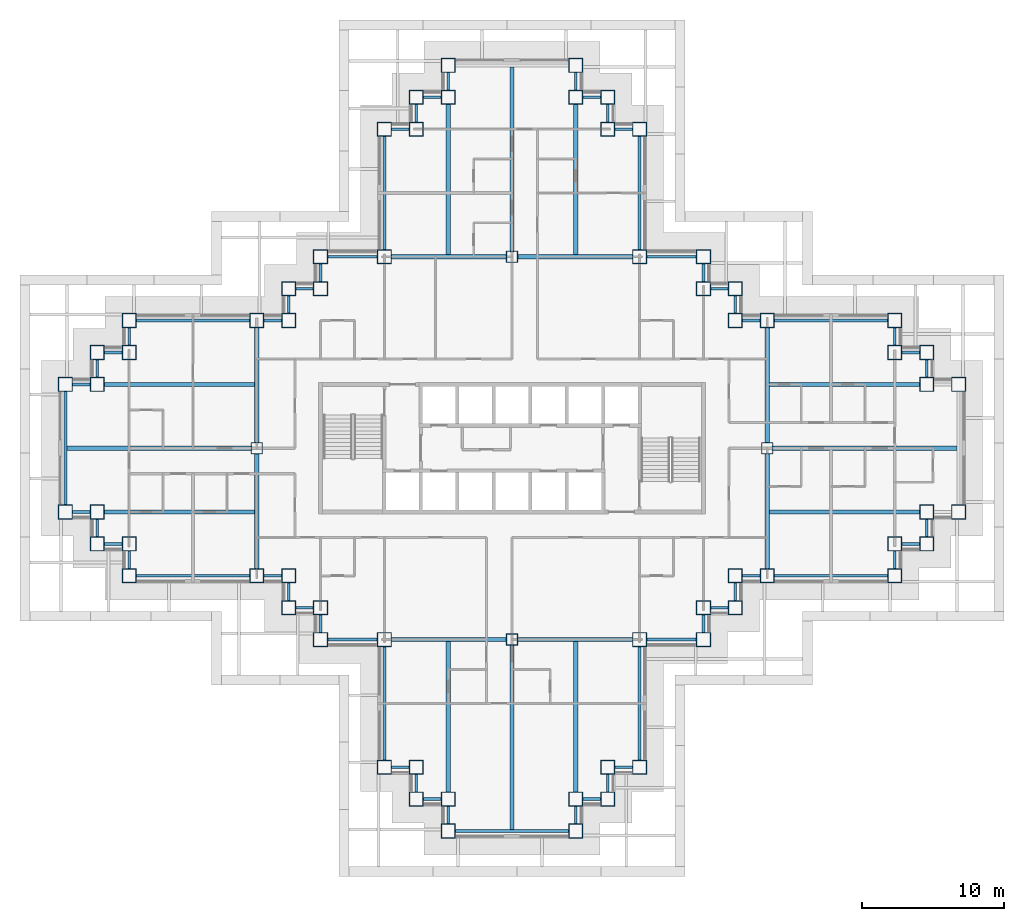
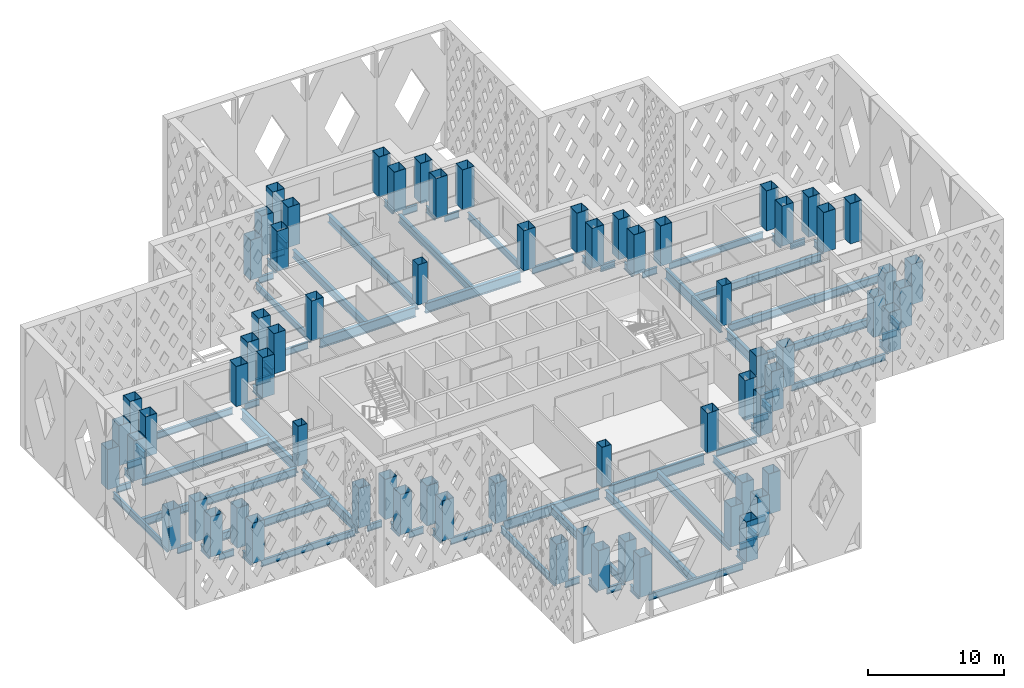
# One storey, part 1 of 19: 80 beams, 68 columns.
"""IFC4 building model written with IfcOpenShell, lengths in metres."""

from ifc_helpers import new_model, si_unit, direction, frame, origin, origin_2d, place, context, subcontext, project, spatial, hollow_rectangle, i_section, extrude, material, material_profile, profile_set, type_object, element, save


model = new_model("IFC4")

# Units and contexts
model_context = context("Model", 3, precision=1e-05, world=origin(), true_north=direction((0.0, 1.0)))
body_context = subcontext(model_context, "Body", "Model", "MODEL_VIEW")
ifc_project = project(units=[si_unit("LENGTHUNIT", "METRE"), si_unit("AREAUNIT", "SQUARE_METRE"), si_unit("VOLUMEUNIT", "CUBIC_METRE"), si_unit("PLANEANGLEUNIT", "RADIAN"), si_unit("MASSUNIT", "GRAM", prefix="KILO")], contexts=[model_context])

# Site, building, storey
site_placement = place(None, origin())
site = spatial("IfcSite", under=ifc_project, at=site_placement, CompositionType="ELEMENT")
building_placement = place(site_placement, origin())
building = spatial("IfcBuilding", under=site, at=building_placement, Name="Caravel Reach Hotel and Residences", CompositionType="ELEMENT")
storey_placement = place(building_placement, frame((0.0, 0.0, 74.39990234375)))
storey = spatial("IfcBuildingStorey", under=building, at=storey_placement, Name="L17", CompositionType="ELEMENT", Elevation=74.39990234375)

# Columns
ifc_material_1 = material(Name="Concrete-filled steel tube Q390B with Concrete C70 infill", Category="concrete")
ifc_material_profile_1 = material_profile(ifc_material_1, hollow_rectangle(XDim=1.0, YDim=1.0, WallThickness=0.031982421875, at=origin_2d()), Name="RHS 1000x1000x32")
ifc_profile_set_1 = profile_set([ifc_material_profile_1], Name="Concrete-filled steel tube Q390B with Concrete C70 infill")
column_type_1 = type_object("IfcColumnType", Name="CFT 1000x1000 Q390B C70", PredefinedType="COLUMN", material=ifc_profile_set_1)
for number, where, z_axis, x_axis, name in (
    (1, (22.5, 4.5, 0.0), (0.0, 0.0, 1.0), (1.0, 0.0, 0.0), "C2 column"),
    (2, (24.75, 4.5, 0.0), (0.0, 0.0, 1.0), (1.0, 0.0, 0.0), "C2 column"),
    (3, (24.75, 2.25, 0.0), (0.0, 0.0, 1.0), (1.0, 0.0, 0.0), "C2 column"),
    (4, (27.0, 2.25, 0.0), (0.0, 0.0, 1.0), (1.0, 0.0, 0.0), "C2 column"),
    (5, (27.0, 0.0, 0.0), (0.0, 0.0, 1.0), (1.0, 0.0, 0.0), "C2 column"),
    (6, (36.0, 0.0, 0.0), (0.0, 0.0, 1.0), (1.0, 0.0, 0.0), "C2 column"),
    (7, (36.0, 2.25, 0.0), (0.0, 0.0, 1.0), (1.0, 0.0, 0.0), "C2 column"),
    (8, (38.25, 2.25, 0.0), (0.0, 0.0, 1.0), (1.0, 0.0, 0.0), "C2 column"),
    (9, (38.25, 4.5, 0.0), (0.0, 0.0, 1.0), (1.0, 0.0, 0.0), "C2 column"),
    (10, (40.5, 4.5, 0.0), (0.0, 0.0, 1.0), (1.0, 0.0, 0.0), "C2 column"),
    (11, (40.5, 13.5, 0.0), (0.0, 0.0, 1.0), (1.0, 0.0, 0.0), "C2 column"),
    (12, (45.0, 13.5, 0.0), (0.0, 0.0, 1.0), (1.0, 0.0, 0.0), "C2 column"),
    (13, (45.0, 15.75, 0.0), (0.0, 0.0, 1.0), (1.0, 0.0, 0.0), "C2 column"),
    (14, (47.25, 15.75, 0.0), (0.0, 0.0, 1.0), (1.0, 0.0, 0.0), "C2 column"),
    (15, (47.25, 18.0, 0.0), (0.0, 0.0, 1.0), (1.0, 0.0, 0.0), "C2 column"),
    (16, (49.5, 18.0, 0.0), (0.0, 0.0, 1.0), (1.0, 0.0, 0.0), "C2 column"),
    (17, (58.5, 18.0, 0.0), (0.0, 0.0, 1.0), (1.0, 0.0, 0.0), "C2 column"),
    (18, (58.5, 20.25, 0.0), (0.0, 0.0, 1.0), (1.0, 0.0, 0.0), "C2 column"),
    (19, (60.75, 20.25, 0.0), (0.0, 0.0, 1.0), (1.0, 0.0, 0.0), "C2 column"),
    (20, (60.75, 22.5, 0.0), (0.0, 0.0, 1.0), (1.0, 0.0, 0.0), "C2 column"),
    (21, (63.0, 22.5, 0.0), (0.0, 0.0, 1.0), (1.0, 0.0, 0.0), "C2 column"),
    (22, (63.0, 31.5, 0.0), (0.0, 0.0, 1.0), (1.0, 0.0, 0.0), "C2 column"),
    (23, (60.75, 31.5, 0.0), (0.0, 0.0, 1.0), (1.0, 0.0, 0.0), "C2 column"),
    (24, (60.75, 33.75, 0.0), (0.0, 0.0, 1.0), (1.0, 0.0, 0.0), "C2 column"),
    (25, (58.5, 33.75, 0.0), (0.0, 0.0, 1.0), (1.0, 0.0, 0.0), "C2 column"),
    (26, (58.5, 36.0, 0.0), (0.0, 0.0, 1.0), (1.0, 0.0, 0.0), "C2 column"),
    (27, (49.5, 36.0, 0.0), (0.0, 0.0, 1.0), (1.0, 0.0, 0.0), "C2 column"),
    (28, (47.25, 36.0, 0.0), (0.0, 0.0, 1.0), (1.0, 0.0, 0.0), "C2 column"),
    (29, (47.25, 38.25, 0.0), (0.0, 0.0, 1.0), (1.0, 0.0, 0.0), "C2 column"),
    (30, (45.0, 38.25, 0.0), (0.0, 0.0, 1.0), (1.0, 0.0, 0.0), "C2 column"),
    (31, (45.0, 40.5, 0.0), (0.0, 0.0, 1.0), (1.0, 0.0, 0.0), "C2 column"),
    (32, (40.5, 40.5, 0.0), (0.0, 0.0, 1.0), (1.0, 0.0, 0.0), "C2 column"),
    (33, (40.5, 49.5, 0.0), (0.0, 0.0, 1.0), (1.0, 0.0, 0.0), "C2 column"),
    (34, (38.25, 49.5, 0.0), (0.0, 0.0, 1.0), (1.0, 0.0, 0.0), "C2 column"),
    (35, (38.25, 51.75, 0.0), (0.0, 0.0, 1.0), (1.0, 0.0, 0.0), "C2 column"),
    (36, (36.0, 51.75, 0.0), (0.0, 0.0, 1.0), (1.0, 0.0, 0.0), "C2 column"),
    (37, (36.0, 54.0, 0.0), (0.0, 0.0, 1.0), (1.0, 0.0, 0.0), "C2 column"),
    (38, (27.0, 54.0, 0.0), (0.0, 0.0, 1.0), (1.0, 0.0, 0.0), "C2 column"),
    (39, (27.0, 51.75, 0.0), (0.0, 0.0, 1.0), (1.0, 0.0, 0.0), "C2 column"),
    (40, (24.75, 51.75, 0.0), (0.0, 0.0, 1.0), (1.0, 0.0, 0.0), "C2 column"),
    (41, (24.75, 49.5, 0.0), (0.0, 0.0, 1.0), (1.0, 0.0, 0.0), "C2 column"),
    (42, (22.5, 49.5, 0.0), (0.0, 0.0, 1.0), (1.0, 0.0, 0.0), "C2 column"),
    (43, (22.5, 40.5, 0.0), (0.0, 0.0, 1.0), (1.0, 0.0, 0.0), "C2 column"),
    (44, (18.0, 40.5, 0.0), (0.0, 0.0, 1.0), (1.0, 0.0, 0.0), "C2 column"),
    (45, (18.0, 38.25, 0.0), (0.0, 0.0, 1.0), (1.0, 0.0, 0.0), "C2 column"),
    (46, (15.75, 38.25, 0.0), (0.0, 0.0, 1.0), (1.0, 0.0, 0.0), "C2 column"),
    (47, (15.75, 36.0, 0.0), (0.0, 0.0, 1.0), (1.0, 0.0, 0.0), "C2 column"),
    (48, (13.5, 36.0, 0.0), (0.0, 0.0, 1.0), (1.0, 0.0, 0.0), "C2 column"),
    (49, (4.5, 36.0, 0.0), (0.0, 0.0, 1.0), (1.0, 0.0, 0.0), "C2 column"),
    (50, (4.5, 33.75, 0.0), (0.0, 0.0, 1.0), (1.0, 0.0, 0.0), "C2 column"),
    (51, (2.25, 33.75, 0.0), (0.0, 0.0, 1.0), (1.0, 0.0, 0.0), "C2 column"),
    (52, (2.25, 31.5, 0.0), (0.0, 0.0, 1.0), (1.0, 0.0, 0.0), "C2 column"),
    (53, (0.0, 31.5, 0.0), (0.0, 0.0, 1.0), (1.0, 0.0, 0.0), "C2 column"),
    (54, (0.0, 22.5, 0.0), (0.0, 0.0, 1.0), (1.0, 0.0, 0.0), "C2 column"),
    (55, (2.25, 22.5, 0.0), (0.0, 0.0, 1.0), (1.0, 0.0, 0.0), "C2 column"),
    (56, (2.25, 20.25, 0.0), (0.0, 0.0, 1.0), (1.0, 0.0, 0.0), "C2 column"),
    (57, (4.5, 20.25, 0.0), (0.0, 0.0, 1.0), (1.0, 0.0, 0.0), "C2 column"),
    (58, (4.5, 18.0, 0.0), (0.0, 0.0, 1.0), (1.0, 0.0, 0.0), "C2 column"),
    (59, (13.5, 18.0, 0.0), (0.0, 0.0, 1.0), (1.0, 0.0, 0.0), "C2 column"),
    (60, (15.75, 18.0, 0.0), (0.0, 0.0, 1.0), (1.0, 0.0, 0.0), "C2 column"),
    (61, (15.75, 15.75, 0.0), (0.0, 0.0, 1.0), (1.0, 0.0, 0.0), "C2 column"),
    (62, (18.0, 15.75, 0.0), (0.0, 0.0, 1.0), (1.0, 0.0, 0.0), "C2 column"),
    (63, (18.0, 13.5, 0.0), (0.0, 0.0, 1.0), (1.0, 0.0, 0.0), "C2 column"),
    (64, (22.5, 13.5, 0.0), (0.0, 0.0, 1.0), (1.0, 0.0, 0.0), "C2 column"),
):
    element("IfcColumn", number, at=place(storey_placement, frame(where, z_axis=z_axis, x_axis=x_axis)), inside=storey, type_object=column_type_1, Name=name, PredefinedType="COLUMN", context=body_context, shape_type="SweptSolid", body=[
        extrude(hollow_rectangle(XDim=1.0, YDim=1.0, WallThickness=0.031982421875, at=origin_2d()), origin(), (0.0, 0.0, 1.0), 3.60009765625),
    ])
ifc_material_2 = material(Name="Concrete-filled steel tube Q390B with Concrete C70 infill", Category="concrete")
ifc_material_profile_2 = material_profile(ifc_material_2, hollow_rectangle(XDim=0.800048828125, YDim=0.800048828125, WallThickness=0.02490234375, at=origin_2d()), Name="RHS 800x800x25")
ifc_profile_set_2 = profile_set([ifc_material_profile_2], Name="Concrete-filled steel tube Q390B with Concrete C70 infill")
column_type_2 = type_object("IfcColumnType", Name="CFT 800x800 Q390B C70", PredefinedType="COLUMN", material=ifc_profile_set_2)
for number, where, z_axis, x_axis, name in (
    (65, (31.5, 40.5, 0.0), (0.0, 0.0, 1.0), (1.0, 0.0, 0.0), "C4 column"),
    (66, (31.5, 13.5, 0.0), (0.0, 0.0, 1.0), (1.0, 0.0, 0.0), "C4 column"),
    (67, (13.5, 27.0, 0.0), (0.0, 0.0, 1.0), (1.0, 0.0, 0.0), "C4 column"),
    (68, (49.5, 27.0, 0.0), (0.0, 0.0, 1.0), (1.0, 0.0, 0.0), "C4 column"),
):
    element("IfcColumn", number, at=place(storey_placement, frame(where, z_axis=z_axis, x_axis=x_axis)), inside=storey, type_object=column_type_2, Name=name, PredefinedType="COLUMN", context=body_context, shape_type="SweptSolid", body=[
        extrude(hollow_rectangle(XDim=0.800048828125, YDim=0.800048828125, WallThickness=0.02490234375, at=origin_2d()), origin(), (0.0, 0.0, 1.0), 3.60009765625),
    ])

# Beams
ifc_material_3 = material(Name="Structural steel Q355B", Category="steel")
ifc_material_profile_3 = material_profile(ifc_material_3, i_section(OverallWidth=0.300048828125, OverallDepth=0.699951171875, WebThickness=0.012939453125, FlangeThickness=0.02392578125, FilletRadius=0.01806640625, at=origin_2d()), Name="HN 700x300x13x24")
ifc_profile_set_3 = profile_set([ifc_material_profile_3], Name="Structural steel Q355B")
beam_type_1 = type_object("IfcBeamType", Name="Beam HN 700x300x13x24", PredefinedType="BEAM", material=ifc_profile_set_3)
beam_1_placement = place(storey_placement, frame((27.0, 40.60009765625, -0.64990234375), z_axis=(0.0, 1.0, 0.0), x_axis=(-1.0, 0.0, 0.0)))
element("IfcBeam", 69, at=beam_1_placement, inside=storey, type_object=beam_type_1, Name="B2 HN 700x300x13x24", PredefinedType="BEAM", context=body_context, shape_type="SweptSolid", body=[
    extrude(i_section(OverallWidth=0.300048828125, OverallDepth=0.699951171875, WebThickness=0.012939453125, FlangeThickness=0.02392578125, FilletRadius=0.01806640625, at=origin_2d()), origin(), (0.0, 0.0, 1.0), 10.699951171875),
])
beam_2_placement = place(storey_placement, frame((31.5, 40.85009765625, -0.64990234375), z_axis=(0.0, 1.0, 0.0), x_axis=(-1.0, 0.0, 0.0)))
element("IfcBeam", 70, at=beam_2_placement, inside=storey, type_object=beam_type_1, Name="B2 HN 700x300x13x24", PredefinedType="BEAM", context=body_context, shape_type="SweptSolid", body=[
    extrude(i_section(OverallWidth=0.300048828125, OverallDepth=0.699951171875, WebThickness=0.012939453125, FlangeThickness=0.02392578125, FilletRadius=0.01806640625, at=origin_2d()), origin(), (0.0, 0.0, 1.0), 13.0498046875),
])
for number, where, z_axis, x_axis, name in (
    (71, (36.0, 40.60009765625, -0.64990234375), (0.0, 1.0, 0.0), (-1.0, 0.0, 0.0), "B2 HN 700x300x13x24"),
    (72, (27.0, 13.39990234375, -0.64990234375), (0.0, -1.0, 0.0), (1.0, 0.0, 0.0), "B2 HN 700x300x13x24"),
):
    element("IfcBeam", number, at=place(storey_placement, frame(where, z_axis=z_axis, x_axis=x_axis)), inside=storey, type_object=beam_type_1, Name=name, PredefinedType="BEAM", context=body_context, shape_type="SweptSolid", body=[
        extrude(i_section(OverallWidth=0.300048828125, OverallDepth=0.699951171875, WebThickness=0.012939453125, FlangeThickness=0.02392578125, FilletRadius=0.01806640625, at=origin_2d()), origin(), (0.0, 0.0, 1.0), 10.699951171875),
    ])
beam_3_placement = place(storey_placement, frame((31.5, 13.14990234375, -0.64990234375), z_axis=(0.0, -1.0, 0.0), x_axis=(1.0, 0.0, 0.0)))
element("IfcBeam", 73, at=beam_3_placement, inside=storey, type_object=beam_type_1, Name="B2 HN 700x300x13x24", PredefinedType="BEAM", context=body_context, shape_type="SweptSolid", body=[
    extrude(i_section(OverallWidth=0.300048828125, OverallDepth=0.699951171875, WebThickness=0.012939453125, FlangeThickness=0.02392578125, FilletRadius=0.01806640625, at=origin_2d()), origin(), (0.0, 0.0, 1.0), 13.0498046875),
])
for number, where, z_axis, x_axis, name in (
    (74, (36.0, 13.39990234375, -0.64990234375), (0.0, -1.0, 0.0), (1.0, 0.0, 0.0), "B2 HN 700x300x13x24"),
    (75, (49.60009765625, 22.5, -0.64990234375), (1.0, 0.0, 0.0), (0.0, 1.0, 0.0), "B2 HN 700x300x13x24"),
):
    element("IfcBeam", number, at=place(storey_placement, frame(where, z_axis=z_axis, x_axis=x_axis)), inside=storey, type_object=beam_type_1, Name=name, PredefinedType="BEAM", context=body_context, shape_type="SweptSolid", body=[
        extrude(i_section(OverallWidth=0.300048828125, OverallDepth=0.699951171875, WebThickness=0.012939453125, FlangeThickness=0.02392578125, FilletRadius=0.01806640625, at=origin_2d()), origin(), (0.0, 0.0, 1.0), 10.699951171875),
    ])
beam_4_placement = place(storey_placement, frame((49.85009765625, 27.0, -0.64990234375), z_axis=(1.0, 0.0, 0.0), x_axis=(0.0, 1.0, 0.0)))
element("IfcBeam", 76, at=beam_4_placement, inside=storey, type_object=beam_type_1, Name="B2 HN 700x300x13x24", PredefinedType="BEAM", context=body_context, shape_type="SweptSolid", body=[
    extrude(i_section(OverallWidth=0.300048828125, OverallDepth=0.699951171875, WebThickness=0.012939453125, FlangeThickness=0.02392578125, FilletRadius=0.01806640625, at=origin_2d()), origin(), (0.0, 0.0, 1.0), 13.0498046875),
])
for number, where, z_axis, x_axis, name in (
    (77, (49.60009765625, 31.5, -0.64990234375), (1.0, 0.0, 0.0), (0.0, 1.0, 0.0), "B2 HN 700x300x13x24"),
    (78, (13.39990234375, 22.5, -0.64990234375), (-1.0, 0.0, 0.0), (0.0, -1.0, 0.0), "B2 HN 700x300x13x24"),
):
    element("IfcBeam", number, at=place(storey_placement, frame(where, z_axis=z_axis, x_axis=x_axis)), inside=storey, type_object=beam_type_1, Name=name, PredefinedType="BEAM", context=body_context, shape_type="SweptSolid", body=[
        extrude(i_section(OverallWidth=0.300048828125, OverallDepth=0.699951171875, WebThickness=0.012939453125, FlangeThickness=0.02392578125, FilletRadius=0.01806640625, at=origin_2d()), origin(), (0.0, 0.0, 1.0), 10.699951171875),
    ])
beam_5_placement = place(storey_placement, frame((13.14990234375, 27.0, -0.64990234375), z_axis=(-1.0, 0.0, 0.0), x_axis=(0.0, -1.0, 0.0)))
element("IfcBeam", 79, at=beam_5_placement, inside=storey, type_object=beam_type_1, Name="B2 HN 700x300x13x24", PredefinedType="BEAM", context=body_context, shape_type="SweptSolid", body=[
    extrude(i_section(OverallWidth=0.300048828125, OverallDepth=0.699951171875, WebThickness=0.012939453125, FlangeThickness=0.02392578125, FilletRadius=0.01806640625, at=origin_2d()), origin(), (0.0, 0.0, 1.0), 13.0498046875),
])
beam_6_placement = place(storey_placement, frame((13.39990234375, 31.5, -0.64990234375), z_axis=(-1.0, 0.0, 0.0), x_axis=(0.0, -1.0, 0.0)))
element("IfcBeam", 80, at=beam_6_placement, inside=storey, type_object=beam_type_1, Name="B2 HN 700x300x13x24", PredefinedType="BEAM", context=body_context, shape_type="SweptSolid", body=[
    extrude(i_section(OverallWidth=0.300048828125, OverallDepth=0.699951171875, WebThickness=0.012939453125, FlangeThickness=0.02392578125, FilletRadius=0.01806640625, at=origin_2d()), origin(), (0.0, 0.0, 1.0), 10.699951171875),
])
ifc_material_4 = material(Name="Structural steel Q355B", Category="steel")
ifc_material_profile_4 = material_profile(ifc_material_4, i_section(OverallWidth=0.300048828125, OverallDepth=0.89990234375, WebThickness=0.01611328125, FlangeThickness=0.028076171875, FilletRadius=0.01806640625, at=origin_2d()), Name="HN 900x300x16x28")
ifc_profile_set_4 = profile_set([ifc_material_profile_4], Name="Structural steel Q355B")
beam_type_2 = type_object("IfcBeamType", Name="Beam HN 900x300x16x28", PredefinedType="BEAM", material=ifc_profile_set_4)
for number, where, z_axis, x_axis, name in (
    (81, (23.0, 40.5, -0.75), (1.0, 0.0, 0.0), (0.0, 1.0, 0.0), "B3 HN 900x300x16x28"),
    (82, (31.89990234375, 40.5, -0.75), (1.0, 0.0, 0.0), (0.0, 1.0, 0.0), "B3 HN 900x300x16x28"),
    (83, (23.0, 13.5, -0.75), (1.0, 0.0, 0.0), (0.0, 1.0, 0.0), "B3 HN 900x300x16x28"),
    (84, (31.89990234375, 13.5, -0.75), (1.0, 0.0, 0.0), (0.0, 1.0, 0.0), "B3 HN 900x300x16x28"),
    (85, (13.5, 18.5, -0.75), (0.0, 1.0, 0.0), (-1.0, 0.0, 0.0), "B3 HN 900x300x16x28"),
    (86, (13.5, 27.39990234375, -0.75), (0.0, 1.0, 0.0), (-1.0, 0.0, 0.0), "B3 HN 900x300x16x28"),
    (87, (49.5, 18.5, -0.75), (0.0, 1.0, 0.0), (-1.0, 0.0, 0.0), "B3 HN 900x300x16x28"),
    (88, (49.5, 27.39990234375, -0.75), (0.0, 1.0, 0.0), (-1.0, 0.0, 0.0), "B3 HN 900x300x16x28"),
):
    element("IfcBeam", number, at=place(storey_placement, frame(where, z_axis=z_axis, x_axis=x_axis)), inside=storey, type_object=beam_type_2, Name=name, PredefinedType="BEAM", context=body_context, shape_type="SweptSolid", body=[
        extrude(i_section(OverallWidth=0.300048828125, OverallDepth=0.89990234375, WebThickness=0.01611328125, FlangeThickness=0.028076171875, FilletRadius=0.01806640625, at=origin_2d()), origin(), (0.0, 0.0, 1.0), 8.10009765625),
    ])
ifc_material_5 = material(Name="Structural steel Q355B", Category="steel")
ifc_material_profile_5 = material_profile(ifc_material_5, i_section(OverallWidth=0.199951171875, OverallDepth=0.60009765625, WebThickness=0.010986328125, FlangeThickness=0.01708984375, FilletRadius=0.012939453125, at=origin_2d()), Name="HN 600x200x11x17")
ifc_profile_set_5 = profile_set([ifc_material_profile_5], Name="Structural steel Q355B")
beam_type_3 = type_object("IfcBeamType", Name="Spandrel beam HN 600x200x11x17", PredefinedType="SPANDREL", material=ifc_profile_set_5)
for number, where, z_axis, x_axis, name in (
    (89, (23.0, 4.5, -0.599853515625), (1.0, 0.0, 0.0), (0.0, 1.0, 0.0), "SP1 HN 600x200x11x17"),
    (90, (24.75, 4.0, -0.599853515625), (0.0, -1.0, 0.0), (1.0, 0.0, 0.0), "SP1 HN 600x200x11x17"),
    (91, (25.25, 2.25, -0.599853515625), (1.0, 0.0, 0.0), (0.0, 1.0, 0.0), "SP1 HN 600x200x11x17"),
    (92, (27.0, 1.75, -0.599853515625), (0.0, -1.0, 0.0), (1.0, 0.0, 0.0), "SP1 HN 600x200x11x17"),
):
    element("IfcBeam", number, at=place(storey_placement, frame(where, z_axis=z_axis, x_axis=x_axis)), inside=storey, type_object=beam_type_3, Name=name, PredefinedType="SPANDREL", context=body_context, shape_type="SweptSolid", body=[
        extrude(i_section(OverallWidth=0.199951171875, OverallDepth=0.60009765625, WebThickness=0.010986328125, FlangeThickness=0.01708984375, FilletRadius=0.012939453125, at=origin_2d()), origin(), (0.0, 0.0, 1.0), 1.25),
    ])
beam_7_placement = place(storey_placement, frame((27.5, 0.0, -0.599853515625), z_axis=(1.0, 0.0, 0.0), x_axis=(0.0, 1.0, 0.0)))
element("IfcBeam", 93, at=beam_7_placement, inside=storey, type_object=beam_type_3, Name="SP1 HN 600x200x11x17", PredefinedType="SPANDREL", context=body_context, shape_type="SweptSolid", body=[
    extrude(i_section(OverallWidth=0.199951171875, OverallDepth=0.60009765625, WebThickness=0.010986328125, FlangeThickness=0.01708984375, FilletRadius=0.012939453125, at=origin_2d()), origin(), (0.0, 0.0, 1.0), 8.0),
])
for number, where, z_axis, x_axis, name in (
    (94, (36.0, 0.5, -0.599853515625), (0.0, 1.0, 0.0), (-1.0, 0.0, 0.0), "SP1 HN 600x200x11x17"),
    (95, (36.5, 2.25, -0.599853515625), (1.0, 0.0, 0.0), (0.0, 1.0, 0.0), "SP1 HN 600x200x11x17"),
    (96, (38.25, 2.75, -0.599853515625), (0.0, 1.0, 0.0), (-1.0, 0.0, 0.0), "SP1 HN 600x200x11x17"),
    (97, (38.75, 4.5, -0.599853515625), (1.0, 0.0, 0.0), (0.0, 1.0, 0.0), "SP1 HN 600x200x11x17"),
):
    element("IfcBeam", number, at=place(storey_placement, frame(where, z_axis=z_axis, x_axis=x_axis)), inside=storey, type_object=beam_type_3, Name=name, PredefinedType="SPANDREL", context=body_context, shape_type="SweptSolid", body=[
        extrude(i_section(OverallWidth=0.199951171875, OverallDepth=0.60009765625, WebThickness=0.010986328125, FlangeThickness=0.01708984375, FilletRadius=0.012939453125, at=origin_2d()), origin(), (0.0, 0.0, 1.0), 1.25),
    ])
beam_8_placement = place(storey_placement, frame((40.5, 5.0, -0.599853515625), z_axis=(0.0, 1.0, 0.0), x_axis=(-1.0, 0.0, 0.0)))
element("IfcBeam", 98, at=beam_8_placement, inside=storey, type_object=beam_type_3, Name="SP1 HN 600x200x11x17", PredefinedType="SPANDREL", context=body_context, shape_type="SweptSolid", body=[
    extrude(i_section(OverallWidth=0.199951171875, OverallDepth=0.60009765625, WebThickness=0.010986328125, FlangeThickness=0.01708984375, FilletRadius=0.012939453125, at=origin_2d()), origin(), (0.0, 0.0, 1.0), 8.0),
])
beam_9_placement = place(storey_placement, frame((41.0, 13.5, -0.599853515625), z_axis=(1.0, 0.0, 0.0), x_axis=(0.0, 1.0, 0.0)))
element("IfcBeam", 99, at=beam_9_placement, inside=storey, type_object=beam_type_3, Name="SP1 HN 600x200x11x17", PredefinedType="SPANDREL", context=body_context, shape_type="SweptSolid", body=[
    extrude(i_section(OverallWidth=0.199951171875, OverallDepth=0.60009765625, WebThickness=0.010986328125, FlangeThickness=0.01708984375, FilletRadius=0.012939453125, at=origin_2d()), origin(), (0.0, 0.0, 1.0), 3.5),
])
for number, where, z_axis, x_axis, name in (
    (100, (45.0, 14.0, -0.599853515625), (0.0, 1.0, 0.0), (-1.0, 0.0, 0.0), "SP1 HN 600x200x11x17"),
    (101, (45.5, 15.75, -0.599853515625), (1.0, 0.0, 0.0), (0.0, 1.0, 0.0), "SP1 HN 600x200x11x17"),
    (102, (47.25, 16.25, -0.599853515625), (0.0, 1.0, 0.0), (-1.0, 0.0, 0.0), "SP1 HN 600x200x11x17"),
    (103, (47.75, 18.0, -0.599853515625), (1.0, 0.0, 0.0), (0.0, 1.0, 0.0), "SP1 HN 600x200x11x17"),
):
    element("IfcBeam", number, at=place(storey_placement, frame(where, z_axis=z_axis, x_axis=x_axis)), inside=storey, type_object=beam_type_3, Name=name, PredefinedType="SPANDREL", context=body_context, shape_type="SweptSolid", body=[
        extrude(i_section(OverallWidth=0.199951171875, OverallDepth=0.60009765625, WebThickness=0.010986328125, FlangeThickness=0.01708984375, FilletRadius=0.012939453125, at=origin_2d()), origin(), (0.0, 0.0, 1.0), 1.25),
    ])
beam_10_placement = place(storey_placement, frame((50.0, 18.0, -0.599853515625), z_axis=(1.0, 0.0, 0.0), x_axis=(0.0, 1.0, 0.0)))
element("IfcBeam", 104, at=beam_10_placement, inside=storey, type_object=beam_type_3, Name="SP1 HN 600x200x11x17", PredefinedType="SPANDREL", context=body_context, shape_type="SweptSolid", body=[
    extrude(i_section(OverallWidth=0.199951171875, OverallDepth=0.60009765625, WebThickness=0.010986328125, FlangeThickness=0.01708984375, FilletRadius=0.012939453125, at=origin_2d()), origin(), (0.0, 0.0, 1.0), 8.0),
])
for number, where, z_axis, x_axis, name in (
    (105, (58.5, 18.5, -0.599853515625), (0.0, 1.0, 0.0), (-1.0, 0.0, 0.0), "SP1 HN 600x200x11x17"),
    (106, (59.0, 20.25, -0.599853515625), (1.0, 0.0, 0.0), (0.0, 1.0, 0.0), "SP1 HN 600x200x11x17"),
    (107, (60.75, 20.75, -0.599853515625), (0.0, 1.0, 0.0), (-1.0, 0.0, 0.0), "SP1 HN 600x200x11x17"),
    (108, (60.75, 32.0, -0.599853515625), (0.0, 1.0, 0.0), (-1.0, 0.0, 0.0), "SP1 HN 600x200x11x17"),
    (109, (60.25, 33.75, -0.599853515625), (-1.0, 0.0, 0.0), (0.0, -1.0, 0.0), "SP1 HN 600x200x11x17"),
    (110, (58.5, 34.25, -0.599853515625), (0.0, 1.0, 0.0), (-1.0, 0.0, 0.0), "SP1 HN 600x200x11x17"),
):
    element("IfcBeam", number, at=place(storey_placement, frame(where, z_axis=z_axis, x_axis=x_axis)), inside=storey, type_object=beam_type_3, Name=name, PredefinedType="SPANDREL", context=body_context, shape_type="SweptSolid", body=[
        extrude(i_section(OverallWidth=0.199951171875, OverallDepth=0.60009765625, WebThickness=0.010986328125, FlangeThickness=0.01708984375, FilletRadius=0.012939453125, at=origin_2d()), origin(), (0.0, 0.0, 1.0), 1.25),
    ])
beam_11_placement = place(storey_placement, frame((58.0, 36.0, -0.599853515625), z_axis=(-1.0, 0.0, 0.0), x_axis=(0.0, -1.0, 0.0)))
element("IfcBeam", 111, at=beam_11_placement, inside=storey, type_object=beam_type_3, Name="SP1 HN 600x200x11x17", PredefinedType="SPANDREL", context=body_context, shape_type="SweptSolid", body=[
    extrude(i_section(OverallWidth=0.199951171875, OverallDepth=0.60009765625, WebThickness=0.010986328125, FlangeThickness=0.01708984375, FilletRadius=0.012939453125, at=origin_2d()), origin(), (0.0, 0.0, 1.0), 8.0),
])
for number, where, z_axis, x_axis, name in (
    (112, (49.0, 36.0, -0.599853515625), (-1.0, 0.0, 0.0), (0.0, -1.0, 0.0), "SP1 HN 600x200x11x17"),
    (113, (47.25, 36.5, -0.599853515625), (0.0, 1.0, 0.0), (-1.0, 0.0, 0.0), "SP1 HN 600x200x11x17"),
    (114, (46.75, 38.25, -0.599853515625), (-1.0, 0.0, 0.0), (0.0, -1.0, 0.0), "SP1 HN 600x200x11x17"),
    (115, (45.0, 38.75, -0.599853515625), (0.0, 1.0, 0.0), (-1.0, 0.0, 0.0), "SP1 HN 600x200x11x17"),
):
    element("IfcBeam", number, at=place(storey_placement, frame(where, z_axis=z_axis, x_axis=x_axis)), inside=storey, type_object=beam_type_3, Name=name, PredefinedType="SPANDREL", context=body_context, shape_type="SweptSolid", body=[
        extrude(i_section(OverallWidth=0.199951171875, OverallDepth=0.60009765625, WebThickness=0.010986328125, FlangeThickness=0.01708984375, FilletRadius=0.012939453125, at=origin_2d()), origin(), (0.0, 0.0, 1.0), 1.25),
    ])
beam_12_placement = place(storey_placement, frame((44.5, 40.5, -0.599853515625), z_axis=(-1.0, 0.0, 0.0), x_axis=(0.0, -1.0, 0.0)))
element("IfcBeam", 116, at=beam_12_placement, inside=storey, type_object=beam_type_3, Name="SP1 HN 600x200x11x17", PredefinedType="SPANDREL", context=body_context, shape_type="SweptSolid", body=[
    extrude(i_section(OverallWidth=0.199951171875, OverallDepth=0.60009765625, WebThickness=0.010986328125, FlangeThickness=0.01708984375, FilletRadius=0.012939453125, at=origin_2d()), origin(), (0.0, 0.0, 1.0), 3.5),
])
beam_13_placement = place(storey_placement, frame((40.5, 41.0, -0.599853515625), z_axis=(0.0, 1.0, 0.0), x_axis=(-1.0, 0.0, 0.0)))
element("IfcBeam", 117, at=beam_13_placement, inside=storey, type_object=beam_type_3, Name="SP1 HN 600x200x11x17", PredefinedType="SPANDREL", context=body_context, shape_type="SweptSolid", body=[
    extrude(i_section(OverallWidth=0.199951171875, OverallDepth=0.60009765625, WebThickness=0.010986328125, FlangeThickness=0.01708984375, FilletRadius=0.012939453125, at=origin_2d()), origin(), (0.0, 0.0, 1.0), 8.0),
])
for number, where, z_axis, x_axis, name in (
    (118, (40.0, 49.5, -0.599853515625), (-1.0, 0.0, 0.0), (0.0, -1.0, 0.0), "SP1 HN 600x200x11x17"),
    (119, (38.25, 50.0, -0.599853515625), (0.0, 1.0, 0.0), (-1.0, 0.0, 0.0), "SP1 HN 600x200x11x17"),
    (120, (37.75, 51.75, -0.599853515625), (-1.0, 0.0, 0.0), (0.0, -1.0, 0.0), "SP1 HN 600x200x11x17"),
    (121, (36.0, 52.25, -0.599853515625), (0.0, 1.0, 0.0), (-1.0, 0.0, 0.0), "SP1 HN 600x200x11x17"),
    (122, (27.0, 53.5, -0.599853515625), (0.0, -1.0, 0.0), (1.0, 0.0, 0.0), "SP1 HN 600x200x11x17"),
    (123, (26.5, 51.75, -0.599853515625), (-1.0, 0.0, 0.0), (0.0, -1.0, 0.0), "SP1 HN 600x200x11x17"),
    (124, (24.75, 51.25, -0.599853515625), (0.0, -1.0, 0.0), (1.0, 0.0, 0.0), "SP1 HN 600x200x11x17"),
    (125, (24.25, 49.5, -0.599853515625), (-1.0, 0.0, 0.0), (0.0, -1.0, 0.0), "SP1 HN 600x200x11x17"),
):
    element("IfcBeam", number, at=place(storey_placement, frame(where, z_axis=z_axis, x_axis=x_axis)), inside=storey, type_object=beam_type_3, Name=name, PredefinedType="SPANDREL", context=body_context, shape_type="SweptSolid", body=[
        extrude(i_section(OverallWidth=0.199951171875, OverallDepth=0.60009765625, WebThickness=0.010986328125, FlangeThickness=0.01708984375, FilletRadius=0.012939453125, at=origin_2d()), origin(), (0.0, 0.0, 1.0), 1.25),
    ])
beam_14_placement = place(storey_placement, frame((22.5, 49.0, -0.599853515625), z_axis=(0.0, -1.0, 0.0), x_axis=(1.0, 0.0, 0.0)))
element("IfcBeam", 126, at=beam_14_placement, inside=storey, type_object=beam_type_3, Name="SP1 HN 600x200x11x17", PredefinedType="SPANDREL", context=body_context, shape_type="SweptSolid", body=[
    extrude(i_section(OverallWidth=0.199951171875, OverallDepth=0.60009765625, WebThickness=0.010986328125, FlangeThickness=0.01708984375, FilletRadius=0.012939453125, at=origin_2d()), origin(), (0.0, 0.0, 1.0), 8.0),
])
beam_15_placement = place(storey_placement, frame((22.0, 40.5, -0.599853515625), z_axis=(-1.0, 0.0, 0.0), x_axis=(0.0, -1.0, 0.0)))
element("IfcBeam", 127, at=beam_15_placement, inside=storey, type_object=beam_type_3, Name="SP1 HN 600x200x11x17", PredefinedType="SPANDREL", context=body_context, shape_type="SweptSolid", body=[
    extrude(i_section(OverallWidth=0.199951171875, OverallDepth=0.60009765625, WebThickness=0.010986328125, FlangeThickness=0.01708984375, FilletRadius=0.012939453125, at=origin_2d()), origin(), (0.0, 0.0, 1.0), 3.5),
])
for number, where, z_axis, x_axis, name in (
    (128, (18.0, 40.0, -0.599853515625), (0.0, -1.0, 0.0), (1.0, 0.0, 0.0), "SP1 HN 600x200x11x17"),
    (129, (17.5, 38.25, -0.599853515625), (-1.0, 0.0, 0.0), (0.0, -1.0, 0.0), "SP1 HN 600x200x11x17"),
    (130, (15.75, 37.75, -0.599853515625), (0.0, -1.0, 0.0), (1.0, 0.0, 0.0), "SP1 HN 600x200x11x17"),
    (131, (15.25, 36.0, -0.599853515625), (-1.0, 0.0, 0.0), (0.0, -1.0, 0.0), "SP1 HN 600x200x11x17"),
):
    element("IfcBeam", number, at=place(storey_placement, frame(where, z_axis=z_axis, x_axis=x_axis)), inside=storey, type_object=beam_type_3, Name=name, PredefinedType="SPANDREL", context=body_context, shape_type="SweptSolid", body=[
        extrude(i_section(OverallWidth=0.199951171875, OverallDepth=0.60009765625, WebThickness=0.010986328125, FlangeThickness=0.01708984375, FilletRadius=0.012939453125, at=origin_2d()), origin(), (0.0, 0.0, 1.0), 1.25),
    ])
beam_16_placement = place(storey_placement, frame((13.0, 36.0, -0.599853515625), z_axis=(-1.0, 0.0, 0.0), x_axis=(0.0, -1.0, 0.0)))
element("IfcBeam", 132, at=beam_16_placement, inside=storey, type_object=beam_type_3, Name="SP1 HN 600x200x11x17", PredefinedType="SPANDREL", context=body_context, shape_type="SweptSolid", body=[
    extrude(i_section(OverallWidth=0.199951171875, OverallDepth=0.60009765625, WebThickness=0.010986328125, FlangeThickness=0.01708984375, FilletRadius=0.012939453125, at=origin_2d()), origin(), (0.0, 0.0, 1.0), 8.0),
])
for number, where, z_axis, x_axis, name in (
    (133, (4.5, 35.5, -0.599853515625), (0.0, -1.0, 0.0), (1.0, 0.0, 0.0), "SP1 HN 600x200x11x17"),
    (134, (4.0, 33.75, -0.599853515625), (-1.0, 0.0, 0.0), (0.0, -1.0, 0.0), "SP1 HN 600x200x11x17"),
    (135, (2.25, 33.25, -0.599853515625), (0.0, -1.0, 0.0), (1.0, 0.0, 0.0), "SP1 HN 600x200x11x17"),
    (136, (1.75, 31.5, -0.599853515625), (-1.0, 0.0, 0.0), (0.0, -1.0, 0.0), "SP1 HN 600x200x11x17"),
):
    element("IfcBeam", number, at=place(storey_placement, frame(where, z_axis=z_axis, x_axis=x_axis)), inside=storey, type_object=beam_type_3, Name=name, PredefinedType="SPANDREL", context=body_context, shape_type="SweptSolid", body=[
        extrude(i_section(OverallWidth=0.199951171875, OverallDepth=0.60009765625, WebThickness=0.010986328125, FlangeThickness=0.01708984375, FilletRadius=0.012939453125, at=origin_2d()), origin(), (0.0, 0.0, 1.0), 1.25),
    ])
beam_17_placement = place(storey_placement, frame((0.0, 31.0, -0.599853515625), z_axis=(0.0, -1.0, 0.0), x_axis=(1.0, 0.0, 0.0)))
element("IfcBeam", 137, at=beam_17_placement, inside=storey, type_object=beam_type_3, Name="SP1 HN 600x200x11x17", PredefinedType="SPANDREL", context=body_context, shape_type="SweptSolid", body=[
    extrude(i_section(OverallWidth=0.199951171875, OverallDepth=0.60009765625, WebThickness=0.010986328125, FlangeThickness=0.01708984375, FilletRadius=0.012939453125, at=origin_2d()), origin(), (0.0, 0.0, 1.0), 8.0),
])
for number, where, z_axis, x_axis, name in (
    (138, (0.5, 22.5, -0.599853515625), (1.0, 0.0, 0.0), (0.0, 1.0, 0.0), "SP1 HN 600x200x11x17"),
    (139, (2.25, 22.0, -0.599853515625), (0.0, -1.0, 0.0), (1.0, 0.0, 0.0), "SP1 HN 600x200x11x17"),
    (140, (2.75, 20.25, -0.599853515625), (1.0, 0.0, 0.0), (0.0, 1.0, 0.0), "SP1 HN 600x200x11x17"),
    (141, (4.5, 19.75, -0.599853515625), (0.0, -1.0, 0.0), (1.0, 0.0, 0.0), "SP1 HN 600x200x11x17"),
):
    element("IfcBeam", number, at=place(storey_placement, frame(where, z_axis=z_axis, x_axis=x_axis)), inside=storey, type_object=beam_type_3, Name=name, PredefinedType="SPANDREL", context=body_context, shape_type="SweptSolid", body=[
        extrude(i_section(OverallWidth=0.199951171875, OverallDepth=0.60009765625, WebThickness=0.010986328125, FlangeThickness=0.01708984375, FilletRadius=0.012939453125, at=origin_2d()), origin(), (0.0, 0.0, 1.0), 1.25),
    ])
beam_18_placement = place(storey_placement, frame((5.0, 18.0, -0.599853515625), z_axis=(1.0, 0.0, 0.0), x_axis=(0.0, 1.0, 0.0)))
element("IfcBeam", 142, at=beam_18_placement, inside=storey, type_object=beam_type_3, Name="SP1 HN 600x200x11x17", PredefinedType="SPANDREL", context=body_context, shape_type="SweptSolid", body=[
    extrude(i_section(OverallWidth=0.199951171875, OverallDepth=0.60009765625, WebThickness=0.010986328125, FlangeThickness=0.01708984375, FilletRadius=0.012939453125, at=origin_2d()), origin(), (0.0, 0.0, 1.0), 8.0),
])
for number, where, z_axis, x_axis, name in (
    (143, (14.0, 18.0, -0.599853515625), (1.0, 0.0, 0.0), (0.0, 1.0, 0.0), "SP1 HN 600x200x11x17"),
    (144, (15.75, 17.5, -0.599853515625), (0.0, -1.0, 0.0), (1.0, 0.0, 0.0), "SP1 HN 600x200x11x17"),
    (145, (16.25, 15.75, -0.599853515625), (1.0, 0.0, 0.0), (0.0, 1.0, 0.0), "SP1 HN 600x200x11x17"),
    (146, (18.0, 15.25, -0.599853515625), (0.0, -1.0, 0.0), (1.0, 0.0, 0.0), "SP1 HN 600x200x11x17"),
):
    element("IfcBeam", number, at=place(storey_placement, frame(where, z_axis=z_axis, x_axis=x_axis)), inside=storey, type_object=beam_type_3, Name=name, PredefinedType="SPANDREL", context=body_context, shape_type="SweptSolid", body=[
        extrude(i_section(OverallWidth=0.199951171875, OverallDepth=0.60009765625, WebThickness=0.010986328125, FlangeThickness=0.01708984375, FilletRadius=0.012939453125, at=origin_2d()), origin(), (0.0, 0.0, 1.0), 1.25),
    ])
beam_19_placement = place(storey_placement, frame((18.5, 13.5, -0.599853515625), z_axis=(1.0, 0.0, 0.0), x_axis=(0.0, 1.0, 0.0)))
element("IfcBeam", 147, at=beam_19_placement, inside=storey, type_object=beam_type_3, Name="SP1 HN 600x200x11x17", PredefinedType="SPANDREL", context=body_context, shape_type="SweptSolid", body=[
    extrude(i_section(OverallWidth=0.199951171875, OverallDepth=0.60009765625, WebThickness=0.010986328125, FlangeThickness=0.01708984375, FilletRadius=0.012939453125, at=origin_2d()), origin(), (0.0, 0.0, 1.0), 3.5),
])
beam_20_placement = place(storey_placement, frame((22.5, 13.0, -0.599853515625), z_axis=(0.0, -1.0, 0.0), x_axis=(1.0, 0.0, 0.0)))
element("IfcBeam", 148, at=beam_20_placement, inside=storey, type_object=beam_type_3, Name="SP1 HN 600x200x11x17", PredefinedType="SPANDREL", context=body_context, shape_type="SweptSolid", body=[
    extrude(i_section(OverallWidth=0.199951171875, OverallDepth=0.60009765625, WebThickness=0.010986328125, FlangeThickness=0.01708984375, FilletRadius=0.012939453125, at=origin_2d()), origin(), (0.0, 0.0, 1.0), 8.0),
])

save(model, "model.ifc")
